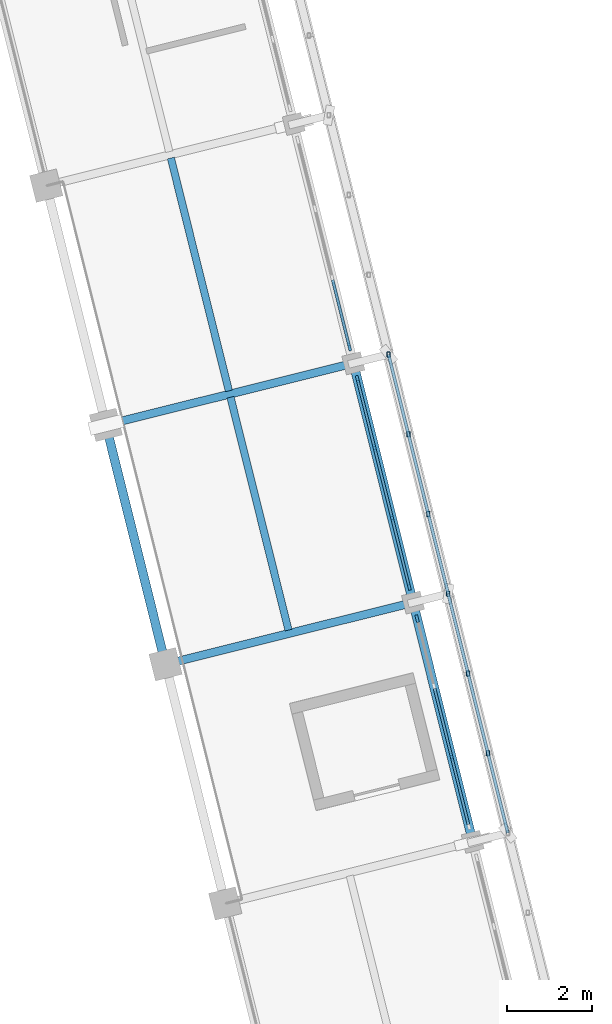
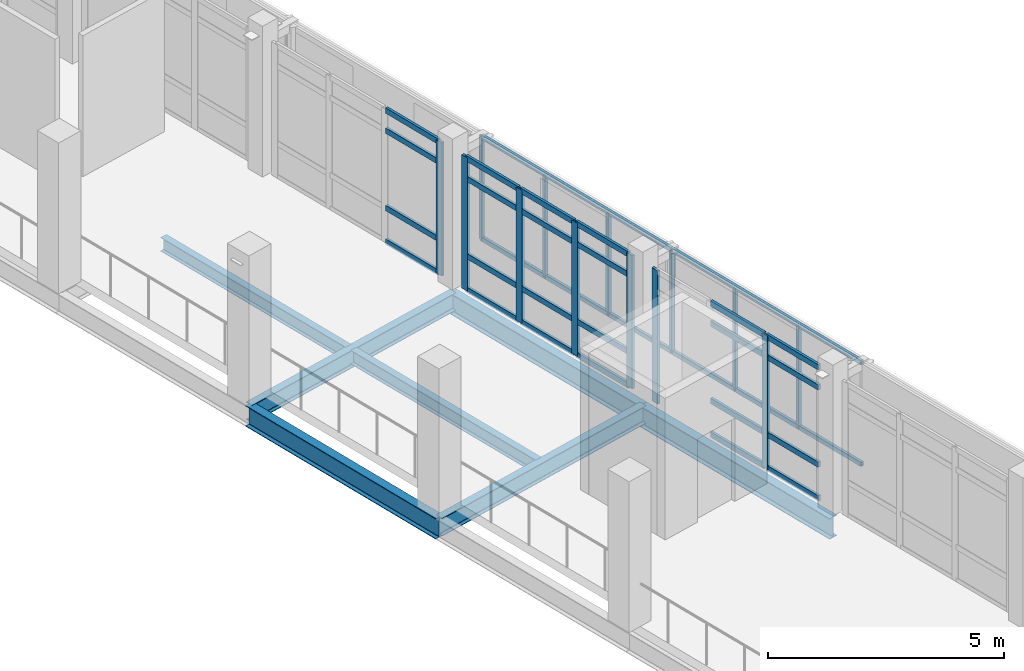
# One storey, part 21 of 117: 41 members, 7 beams, 3 elements without a shape of their own.
"""IFC4 building model written with IfcOpenShell, lengths in metres."""

from ifc_helpers import new_model, si_unit, direction, frame, origin, origin_2d, place, context, subcontext, project, spatial, rectangle, hollow_rectangle, i_section, extrude, material, material_profile, profile_set, type_object, element, aggregate, save


model = new_model("IFC4")

# Units and contexts
model_context = context("Model", 3, precision=1e-05, world=origin(), true_north=direction((0.0, 1.0)))
body_context = subcontext(model_context, "Body", "Model", "MODEL_VIEW")
ifc_project = project(units=[si_unit("LENGTHUNIT", "METRE"), si_unit("AREAUNIT", "SQUARE_METRE"), si_unit("VOLUMEUNIT", "CUBIC_METRE"), si_unit("PLANEANGLEUNIT", "RADIAN"), si_unit("MASSUNIT", "GRAM", prefix="KILO")], contexts=[model_context])

# Site, building, storey
site_placement = place(None, origin())
site = spatial("IfcSite", under=ifc_project, at=site_placement, CompositionType="ELEMENT")
building_placement = place(site_placement, origin())
building = spatial("IfcBuilding", under=site, at=building_placement, Name="Cinderway Yard Community Centre", CompositionType="ELEMENT")
storey_placement = place(building_placement, frame((0.0, 0.0, 9.0)))
storey = spatial("IfcBuildingStorey", under=building, at=storey_placement, Name="L02", CompositionType="ELEMENT", Elevation=9.0)

# Curtain wall, members
ifc_material_1 = material(Name="Aluminium 6063-T6", Category="aluminium")
curtain_wall_type = type_object("IfcCurtainWallType", Name="ENV-CW-TYPE-07", PredefinedType="USERDEFINED", material=ifc_material_1)
curtain_wall_1_placement = place(storey_placement, origin())
curtain_wall_1 = element("IfcCurtainWall", 1, at=curtain_wall_1_placement, inside=storey, type_object=curtain_wall_type, Name="Main Hall Courtyard Curtain Wall ENV-CW-L02-HS-0022", ObjectType="GLAZED CURTAIN WALL", PredefinedType="USERDEFINED")
ifc_material_profile_1 = material_profile(ifc_material_1, rectangle(XDim=0.06494140625, YDim=0.179931640625, at=origin_2d()), Name="Aluminium 6063-T6")
ifc_profile_set_1 = profile_set([ifc_material_profile_1], Name="Aluminium 6063-T6")
member_type_1 = type_object("IfcMemberType", Name="ENV-CW-MULL-180", PredefinedType="MULLION", material=ifc_profile_set_1)
member_1_placement = place(storey_placement, frame((49.496337890625, 46.590087890625, 0.0), z_axis=(0.0, 0.0, 1.0), x_axis=(-0.970292848611, -0.241933436991, 0.0)))
member_1 = element("IfcMember", 2, at=member_1_placement, type_object=member_type_1, Name="CW-07 mullion 2", PredefinedType="MULLION", context=body_context, shape_type="SweptSolid", body=[
    extrude(rectangle(XDim=0.06494140625, YDim=0.179931640625, at=origin_2d()), origin(), (0.0, 0.0, 1.0), 3.449951171875),
])
member_2_placement = place(storey_placement, frame((48.684326171875, 49.846923828125, 0.0), z_axis=(0.0, 0.0, 1.0), x_axis=(-0.970292848611, -0.241933436991, 0.0)))
member_2 = element("IfcMember", 3, at=member_2_placement, type_object=member_type_1, Name="CW-07 mullion 4", PredefinedType="MULLION", context=body_context, shape_type="SweptSolid", body=[
    extrude(rectangle(XDim=0.06494140625, YDim=0.179931640625, at=origin_2d()), origin(), (0.0, 0.0, 1.0), 3.449951171875),
])

curtain_wall_2_placement = place(storey_placement, origin())
curtain_wall_2 = element("IfcCurtainWall", 4, at=curtain_wall_2_placement, inside=storey, type_object=curtain_wall_type, Name="Main Hall Courtyard Curtain Wall ENV-CW-L02-HS-0023", ObjectType="GLAZED CURTAIN WALL", PredefinedType="USERDEFINED")
member_3_placement = place(storey_placement, frame((48.495849609375, 50.60302734375, 0.0), z_axis=(0.0, 0.0, 1.0), x_axis=(-0.97030436752, -0.241887234827, 0.0)))
member_3 = element("IfcMember", 5, at=member_3_placement, type_object=member_type_1, Name="CW-07 mullion 1", PredefinedType="MULLION", context=body_context, shape_type="SweptSolid", body=[
    extrude(rectangle(XDim=0.06494140625, YDim=0.179931640625, at=origin_2d()), origin(), (0.0, 0.0, 1.0), 3.449951171875),
])
member_4_placement = place(storey_placement, frame((48.09326171875, 52.21728515625, 0.0), z_axis=(0.0, 0.0, 1.0), x_axis=(-0.97030436752, -0.241887234827, 0.0)))
member_4 = element("IfcMember", 6, at=member_4_placement, type_object=member_type_1, Name="CW-07 mullion 2", PredefinedType="MULLION", context=body_context, shape_type="SweptSolid", body=[
    extrude(rectangle(XDim=0.06494140625, YDim=0.179931640625, at=origin_2d()), origin(), (0.0, 0.0, 1.0), 3.449951171875),
])
member_5_placement = place(storey_placement, frame((47.68359375, 53.860595703125, 0.0), z_axis=(0.0, 0.0, 1.0), x_axis=(-0.97030436752, -0.241887234827, 0.0)))
member_5 = element("IfcMember", 7, at=member_5_placement, type_object=member_type_1, Name="CW-07 mullion 3", PredefinedType="MULLION", context=body_context, shape_type="SweptSolid", body=[
    extrude(rectangle(XDim=0.06494140625, YDim=0.179931640625, at=origin_2d()), origin(), (0.0, 0.0, 1.0), 3.449951171875),
])
member_6_placement = place(storey_placement, frame((47.28125, 55.474853515625, 0.0), z_axis=(0.0, 0.0, 1.0), x_axis=(-0.97030436752, -0.241887234827, 0.0)))
member_6 = element("IfcMember", 8, at=member_6_placement, type_object=member_type_1, Name="CW-07 mullion 4", PredefinedType="MULLION", context=body_context, shape_type="SweptSolid", body=[
    extrude(rectangle(XDim=0.06494140625, YDim=0.179931640625, at=origin_2d()), origin(), (0.0, 0.0, 1.0), 3.449951171875),
])

# Curtain wall, member
curtain_wall_3_placement = place(storey_placement, origin())
curtain_wall_3 = element("IfcCurtainWall", 9, at=curtain_wall_3_placement, inside=storey, type_object=curtain_wall_type, Name="Main Hall Courtyard Curtain Wall ENV-CW-L02-HS-0024", ObjectType="GLAZED CURTAIN WALL", PredefinedType="USERDEFINED")
member_7_placement = place(storey_placement, frame((47.0927734375, 56.231201171875, 0.0), z_axis=(0.0, 0.0, 1.0), x_axis=(-0.97030436752, -0.241887234827, 0.0)))
member_7 = element("IfcMember", 10, at=member_7_placement, type_object=member_type_1, Name="CW-07 mullion 1", PredefinedType="MULLION", context=body_context, shape_type="SweptSolid", body=[
    extrude(rectangle(XDim=0.06494140625, YDim=0.179931640625, at=origin_2d()), origin(), (0.0, 0.0, 1.0), 3.449951171875),
])

# Member
ifc_material_profile_2 = material_profile(ifc_material_1, rectangle(XDim=0.06494140625, YDim=0.139892578125, at=origin_2d()), Name="Aluminium 6063-T6")
ifc_profile_set_2 = profile_set([ifc_material_profile_2], Name="Aluminium 6063-T6")
member_type_2 = type_object("IfcMemberType", Name="ENV-CW-TRAN-140", PredefinedType="USERDEFINED", material=ifc_profile_set_2)
member_8_placement = place(storey_placement, frame((49.8916015625, 45.005126953125, 0.030029296875), z_axis=(-0.241962318399, 0.970285646846, 0.0), x_axis=(-0.970285646846, -0.241962318399, 0.0)))
member_8 = element("IfcMember", 11, at=member_8_placement, type_object=member_type_2, Name="CW-07 transom 1.1", ObjectType="TRANSOM", PredefinedType="USERDEFINED", context=body_context, shape_type="SweptSolid", body=[
    extrude(rectangle(XDim=0.06494140625, YDim=0.139892578125, at=origin_2d()), origin(), (0.0, 0.0, 1.0), 1.603271484375),
])

member_9_placement = place(storey_placement, frame((49.8916015625, 45.005126953125, 0.89990234375), z_axis=(-0.241962318399, 0.970285646846, 0.0), x_axis=(-0.970285646846, -0.241962318399, 0.0)))
member_9 = element("IfcMember", 12, at=member_9_placement, type_object=member_type_2, Name="CW-07 transom 1.2", ObjectType="TRANSOM", PredefinedType="USERDEFINED", context=body_context, shape_type="SweptSolid", body=[
    extrude(rectangle(XDim=0.06494140625, YDim=0.139892578125, at=origin_2d()), origin(), (0.0, 0.0, 1.0), 1.603271484375),
])

member_10_placement = place(storey_placement, frame((49.8916015625, 45.005126953125, 2.89990234375), z_axis=(-0.241962318399, 0.970285646846, 0.0), x_axis=(-0.970285646846, -0.241962318399, 0.0)))
member_10 = element("IfcMember", 13, at=member_10_placement, type_object=member_type_2, Name="CW-07 transom 1.3", ObjectType="TRANSOM", PredefinedType="USERDEFINED", context=body_context, shape_type="SweptSolid", body=[
    extrude(rectangle(XDim=0.06494140625, YDim=0.139892578125, at=origin_2d()), origin(), (0.0, 0.0, 1.0), 1.603271484375),
])

member_11_placement = place(storey_placement, frame((49.8916015625, 45.005126953125, 3.419921875), z_axis=(-0.241962318399, 0.970285646846, 0.0), x_axis=(-0.970285646846, -0.241962318399, 0.0)))
member_11 = element("IfcMember", 14, at=member_11_placement, type_object=member_type_2, Name="CW-07 transom 1.4", ObjectType="TRANSOM", PredefinedType="USERDEFINED", context=body_context, shape_type="SweptSolid", body=[
    extrude(rectangle(XDim=0.06494140625, YDim=0.139892578125, at=origin_2d()), origin(), (0.0, 0.0, 1.0), 1.603271484375),
])

member_12_placement = place(storey_placement, frame((49.489013671875, 46.619140625, 0.030029296875), z_axis=(-0.24186728009, 0.970309341819, 0.0), x_axis=(-0.970309341819, -0.24186728009, 0.0)))
member_12 = element("IfcMember", 15, at=member_12_placement, type_object=member_type_2, Name="CW-07 transom 2.1", ObjectType="TRANSOM", PredefinedType="USERDEFINED", context=body_context, shape_type="SweptSolid", body=[
    extrude(rectangle(XDim=0.06494140625, YDim=0.139892578125, at=origin_2d()), origin(), (0.0, 0.0, 1.0), 1.63330078125),
])

member_13_placement = place(storey_placement, frame((49.489013671875, 46.619140625, 0.89990234375), z_axis=(-0.24186728009, 0.970309341819, 0.0), x_axis=(-0.970309341819, -0.24186728009, 0.0)))
member_13 = element("IfcMember", 16, at=member_13_placement, type_object=member_type_2, Name="CW-07 transom 2.2", ObjectType="TRANSOM", PredefinedType="USERDEFINED", context=body_context, shape_type="SweptSolid", body=[
    extrude(rectangle(XDim=0.06494140625, YDim=0.139892578125, at=origin_2d()), origin(), (0.0, 0.0, 1.0), 1.63330078125),
])

member_14_placement = place(storey_placement, frame((49.489013671875, 46.619140625, 2.89990234375), z_axis=(-0.24186728009, 0.970309341819, 0.0), x_axis=(-0.970309341819, -0.24186728009, 0.0)))
member_14 = element("IfcMember", 17, at=member_14_placement, type_object=member_type_2, Name="CW-07 transom 2.3", ObjectType="TRANSOM", PredefinedType="USERDEFINED", context=body_context, shape_type="SweptSolid", body=[
    extrude(rectangle(XDim=0.06494140625, YDim=0.139892578125, at=origin_2d()), origin(), (0.0, 0.0, 1.0), 1.63330078125),
])

member_15_placement = place(storey_placement, frame((49.489013671875, 46.619140625, 3.419921875), z_axis=(-0.24186728009, 0.970309341819, 0.0), x_axis=(-0.970309341819, -0.24186728009, 0.0)))
member_15 = element("IfcMember", 18, at=member_15_placement, type_object=member_type_2, Name="CW-07 transom 2.4", ObjectType="TRANSOM", PredefinedType="USERDEFINED", context=body_context, shape_type="SweptSolid", body=[
    extrude(rectangle(XDim=0.06494140625, YDim=0.139892578125, at=origin_2d()), origin(), (0.0, 0.0, 1.0), 1.63330078125),
])

aggregate(curtain_wall_1, [member_1, member_2, member_8, member_9, member_10, member_11, member_12, member_13, member_14, member_15])

member_16_placement = place(storey_placement, frame((48.488525390625, 50.63232421875, 0.030029296875), z_axis=(-0.241926573916, 0.970294559829, 0.0), x_axis=(-0.970294559829, -0.241926573916, 0.0)))
member_16 = element("IfcMember", 19, at=member_16_placement, type_object=member_type_2, Name="CW-07 transom 1.1", ObjectType="TRANSOM", PredefinedType="USERDEFINED", context=body_context, shape_type="SweptSolid", body=[
    extrude(rectangle(XDim=0.06494140625, YDim=0.139892578125, at=origin_2d()), origin(), (0.0, 0.0, 1.0), 1.603515625),
])

member_17_placement = place(storey_placement, frame((48.488525390625, 50.63232421875, 0.89990234375), z_axis=(-0.241926573916, 0.970294559829, 0.0), x_axis=(-0.970294559829, -0.241926573916, 0.0)))
member_17 = element("IfcMember", 20, at=member_17_placement, type_object=member_type_2, Name="CW-07 transom 1.2", ObjectType="TRANSOM", PredefinedType="USERDEFINED", context=body_context, shape_type="SweptSolid", body=[
    extrude(rectangle(XDim=0.06494140625, YDim=0.139892578125, at=origin_2d()), origin(), (0.0, 0.0, 1.0), 1.603515625),
])

member_18_placement = place(storey_placement, frame((48.488525390625, 50.63232421875, 2.89990234375), z_axis=(-0.241926573916, 0.970294559829, 0.0), x_axis=(-0.970294559829, -0.241926573916, 0.0)))
member_18 = element("IfcMember", 21, at=member_18_placement, type_object=member_type_2, Name="CW-07 transom 1.3", ObjectType="TRANSOM", PredefinedType="USERDEFINED", context=body_context, shape_type="SweptSolid", body=[
    extrude(rectangle(XDim=0.06494140625, YDim=0.139892578125, at=origin_2d()), origin(), (0.0, 0.0, 1.0), 1.603515625),
])

member_19_placement = place(storey_placement, frame((48.488525390625, 50.63232421875, 3.419921875), z_axis=(-0.241926573916, 0.970294559829, 0.0), x_axis=(-0.970294559829, -0.241926573916, 0.0)))
member_19 = element("IfcMember", 22, at=member_19_placement, type_object=member_type_2, Name="CW-07 transom 1.4", ObjectType="TRANSOM", PredefinedType="USERDEFINED", context=body_context, shape_type="SweptSolid", body=[
    extrude(rectangle(XDim=0.06494140625, YDim=0.139892578125, at=origin_2d()), origin(), (0.0, 0.0, 1.0), 1.603515625),
])

member_20_placement = place(storey_placement, frame((48.086181640625, 52.246337890625, 0.030029296875), z_axis=(-0.241937832655, 0.970291752583, 0.0), x_axis=(-0.970291752583, -0.241937832655, 0.0)))
member_20 = element("IfcMember", 23, at=member_20_placement, type_object=member_type_2, Name="CW-07 transom 2.1", ObjectType="TRANSOM", PredefinedType="USERDEFINED", context=body_context, shape_type="SweptSolid", body=[
    extrude(rectangle(XDim=0.06494140625, YDim=0.139892578125, at=origin_2d()), origin(), (0.0, 0.0, 1.0), 1.6337890625),
])

member_21_placement = place(storey_placement, frame((48.086181640625, 52.246337890625, 0.89990234375), z_axis=(-0.241937832655, 0.970291752583, 0.0), x_axis=(-0.970291752583, -0.241937832655, 0.0)))
member_21 = element("IfcMember", 24, at=member_21_placement, type_object=member_type_2, Name="CW-07 transom 2.2", ObjectType="TRANSOM", PredefinedType="USERDEFINED", context=body_context, shape_type="SweptSolid", body=[
    extrude(rectangle(XDim=0.06494140625, YDim=0.139892578125, at=origin_2d()), origin(), (0.0, 0.0, 1.0), 1.6337890625),
])

member_22_placement = place(storey_placement, frame((48.086181640625, 52.246337890625, 2.89990234375), z_axis=(-0.241937832655, 0.970291752583, 0.0), x_axis=(-0.970291752583, -0.241937832655, 0.0)))
member_22 = element("IfcMember", 25, at=member_22_placement, type_object=member_type_2, Name="CW-07 transom 2.3", ObjectType="TRANSOM", PredefinedType="USERDEFINED", context=body_context, shape_type="SweptSolid", body=[
    extrude(rectangle(XDim=0.06494140625, YDim=0.139892578125, at=origin_2d()), origin(), (0.0, 0.0, 1.0), 1.6337890625),
])

member_23_placement = place(storey_placement, frame((48.086181640625, 52.246337890625, 3.419921875), z_axis=(-0.241937832655, 0.970291752583, 0.0), x_axis=(-0.970291752583, -0.241937832655, 0.0)))
member_23 = element("IfcMember", 26, at=member_23_placement, type_object=member_type_2, Name="CW-07 transom 2.4", ObjectType="TRANSOM", PredefinedType="USERDEFINED", context=body_context, shape_type="SweptSolid", body=[
    extrude(rectangle(XDim=0.06494140625, YDim=0.139892578125, at=origin_2d()), origin(), (0.0, 0.0, 1.0), 1.6337890625),
])

member_24_placement = place(storey_placement, frame((47.676513671875, 53.889892578125, 0.030029296875), z_axis=(-0.241926573916, 0.970294559829, 0.0), x_axis=(-0.970294559829, -0.241926573916, 0.0)))
member_24 = element("IfcMember", 27, at=member_24_placement, type_object=member_type_2, Name="CW-07 transom 3.1", ObjectType="TRANSOM", PredefinedType="USERDEFINED", context=body_context, shape_type="SweptSolid", body=[
    extrude(rectangle(XDim=0.06494140625, YDim=0.139892578125, at=origin_2d()), origin(), (0.0, 0.0, 1.0), 1.603515625),
])

member_25_placement = place(storey_placement, frame((47.676513671875, 53.889892578125, 0.89990234375), z_axis=(-0.241926573916, 0.970294559829, 0.0), x_axis=(-0.970294559829, -0.241926573916, 0.0)))
member_25 = element("IfcMember", 28, at=member_25_placement, type_object=member_type_2, Name="CW-07 transom 3.2", ObjectType="TRANSOM", PredefinedType="USERDEFINED", context=body_context, shape_type="SweptSolid", body=[
    extrude(rectangle(XDim=0.06494140625, YDim=0.139892578125, at=origin_2d()), origin(), (0.0, 0.0, 1.0), 1.603515625),
])

member_26_placement = place(storey_placement, frame((47.676513671875, 53.889892578125, 2.89990234375), z_axis=(-0.241926573916, 0.970294559829, 0.0), x_axis=(-0.970294559829, -0.241926573916, 0.0)))
member_26 = element("IfcMember", 29, at=member_26_placement, type_object=member_type_2, Name="CW-07 transom 3.3", ObjectType="TRANSOM", PredefinedType="USERDEFINED", context=body_context, shape_type="SweptSolid", body=[
    extrude(rectangle(XDim=0.06494140625, YDim=0.139892578125, at=origin_2d()), origin(), (0.0, 0.0, 1.0), 1.603515625),
])

member_27_placement = place(storey_placement, frame((47.676513671875, 53.889892578125, 3.419921875), z_axis=(-0.241926573916, 0.970294559829, 0.0), x_axis=(-0.970294559829, -0.241926573916, 0.0)))
member_27 = element("IfcMember", 30, at=member_27_placement, type_object=member_type_2, Name="CW-07 transom 3.4", ObjectType="TRANSOM", PredefinedType="USERDEFINED", context=body_context, shape_type="SweptSolid", body=[
    extrude(rectangle(XDim=0.06494140625, YDim=0.139892578125, at=origin_2d()), origin(), (0.0, 0.0, 1.0), 1.603515625),
])

aggregate(curtain_wall_2, [member_3, member_4, member_5, member_6, member_16, member_17, member_18, member_19, member_20, member_21, member_22, member_23, member_24, member_25, member_26, member_27])

member_28_placement = place(storey_placement, frame((47.08544921875, 56.26025390625, 0.030029296875), z_axis=(-0.241926573916, 0.970294559829, 0.0), x_axis=(-0.970294559829, -0.241926573916, 0.0)))
member_28 = element("IfcMember", 31, at=member_28_placement, type_object=member_type_2, Name="CW-07 transom 1.1", ObjectType="TRANSOM", PredefinedType="USERDEFINED", context=body_context, shape_type="SweptSolid", body=[
    extrude(rectangle(XDim=0.06494140625, YDim=0.139892578125, at=origin_2d()), origin(), (0.0, 0.0, 1.0), 1.603515625),
])

member_29_placement = place(storey_placement, frame((47.08544921875, 56.26025390625, 0.89990234375), z_axis=(-0.241926573916, 0.970294559829, 0.0), x_axis=(-0.970294559829, -0.241926573916, 0.0)))
member_29 = element("IfcMember", 32, at=member_29_placement, type_object=member_type_2, Name="CW-07 transom 1.2", ObjectType="TRANSOM", PredefinedType="USERDEFINED", context=body_context, shape_type="SweptSolid", body=[
    extrude(rectangle(XDim=0.06494140625, YDim=0.139892578125, at=origin_2d()), origin(), (0.0, 0.0, 1.0), 1.603515625),
])

member_30_placement = place(storey_placement, frame((47.08544921875, 56.26025390625, 2.89990234375), z_axis=(-0.241926573916, 0.970294559829, 0.0), x_axis=(-0.970294559829, -0.241926573916, 0.0)))
member_30 = element("IfcMember", 33, at=member_30_placement, type_object=member_type_2, Name="CW-07 transom 1.3", ObjectType="TRANSOM", PredefinedType="USERDEFINED", context=body_context, shape_type="SweptSolid", body=[
    extrude(rectangle(XDim=0.06494140625, YDim=0.139892578125, at=origin_2d()), origin(), (0.0, 0.0, 1.0), 1.603515625),
])

member_31_placement = place(storey_placement, frame((47.08544921875, 56.26025390625, 3.419921875), z_axis=(-0.241926573916, 0.970294559829, 0.0), x_axis=(-0.970294559829, -0.241926573916, 0.0)))
member_31 = element("IfcMember", 34, at=member_31_placement, type_object=member_type_2, Name="CW-07 transom 1.4", ObjectType="TRANSOM", PredefinedType="USERDEFINED", context=body_context, shape_type="SweptSolid", body=[
    extrude(rectangle(XDim=0.06494140625, YDim=0.139892578125, at=origin_2d()), origin(), (0.0, 0.0, 1.0), 1.603515625),
])

aggregate(curtain_wall_3, [member_7, member_28, member_29, member_30, member_31])

# Members
ifc_material_2 = material(Name="Steel S355", Category="steel")
ifc_material_profile_3 = material_profile(ifc_material_2, hollow_rectangle(XDim=0.080078125, YDim=0.1201171875, WallThickness=0.00634765625, InnerFilletRadius=0.00634765625, OuterFilletRadius=0.0126953125, at=origin_2d()), Name="Steel S355")
ifc_profile_set_3 = profile_set([ifc_material_profile_3], Name="Steel S355")
member_type_3 = type_object("IfcMemberType", Name="ENV-MEM-SCREEN-RAIL-120", PredefinedType="STRINGER", material=ifc_profile_set_3)
for number, where, z_axis, x_axis, name in (
    (35, (50.818115234375, 44.803955078125, 0.7099609375), (-0.241941244896, 0.97029090175, 0.0), (-0.97029090175, -0.241941244896, 0.0), "Screen support rail 0910-BOT"),
    (36, (50.818115234375, 44.803955078125, 3.340087890625), (-0.241941244896, 0.97029090175, 0.0), (-0.97029090175, -0.241941244896, 0.0), "Screen support rail 0911-TOP"),
):
    element("IfcMember", number, at=place(storey_placement, frame(where, z_axis=z_axis, x_axis=x_axis)), inside=storey, type_object=member_type_3, Name=name, PredefinedType="STRINGER", context=body_context, shape_type="SweptSolid", body=[
        extrude(hollow_rectangle(XDim=0.080078125, YDim=0.1201171875, WallThickness=0.00634765625, InnerFilletRadius=0.00634765625, OuterFilletRadius=0.0126953125, at=origin_2d()), origin(), (0.0, 0.0, 1.0), 5.79931640625),
    ])
for number, where, z_axis, x_axis, name in (
    (37, (50.35009765625, 46.679931640625, 0.68994140625), (0.0, 0.0, 1.0), (1.0, 0.0, 0.0), "Screen vertical mullion 0912"),
    (38, (49.883056640625, 48.554931640625, 0.68994140625), (0.0, 0.0, 1.0), (1.0, 0.0, 0.0), "Screen vertical mullion 0913"),
    (39, (49.4150390625, 50.430908203125, 0.68994140625), (0.0, 0.0, 1.0), (1.0, 0.0, 0.0), "Screen vertical mullion 0914"),
):
    element("IfcMember", number, at=place(storey_placement, frame(where, z_axis=z_axis, x_axis=x_axis)), inside=storey, type_object=member_type_3, Name=name, PredefinedType="STRINGER", context=body_context, shape_type="SweptSolid", body=[
        extrude(hollow_rectangle(XDim=0.080078125, YDim=0.1201171875, WallThickness=0.00634765625, InnerFilletRadius=0.00634765625, OuterFilletRadius=0.0126953125, at=origin_2d()), origin(), (0.0, 0.0, 1.0), 2.670166015625),
    ])
for number, where, z_axis, x_axis, name in (
    (40, (49.4150390625, 50.430908203125, 0.7099609375), (-0.241891840607, 0.970303219333, 0.0), (-0.970303219333, -0.241891840607, 0.0), "Screen support rail 0916-BOT"),
    (41, (49.4150390625, 50.430908203125, 3.340087890625), (-0.241891840607, 0.970303219333, 0.0), (-0.970303219333, -0.241891840607, 0.0), "Screen support rail 0917-TOP"),
):
    element("IfcMember", number, at=place(storey_placement, frame(where, z_axis=z_axis, x_axis=x_axis)), inside=storey, type_object=member_type_3, Name=name, PredefinedType="STRINGER", context=body_context, shape_type="SweptSolid", body=[
        extrude(hollow_rectangle(XDim=0.080078125, YDim=0.1201171875, WallThickness=0.00634765625, InnerFilletRadius=0.00634765625, OuterFilletRadius=0.0126953125, at=origin_2d()), origin(), (0.0, 0.0, 1.0), 5.800537109375),
    ])
for number, where, z_axis, x_axis, name in (
    (42, (48.947021484375, 52.306884765625, 0.68994140625), (0.0, 0.0, 1.0), (1.0, 0.0, 0.0), "Screen vertical mullion 0918"),
    (43, (48.47998046875, 54.18310546875, 0.68994140625), (0.0, 0.0, 1.0), (1.0, 0.0, 0.0), "Screen vertical mullion 0919"),
    (44, (48.011962890625, 56.05908203125, 0.68994140625), (0.0, 0.0, 1.0), (1.0, 0.0, 0.0), "Screen vertical mullion 0920"),
):
    element("IfcMember", number, at=place(storey_placement, frame(where, z_axis=z_axis, x_axis=x_axis)), inside=storey, type_object=member_type_3, Name=name, PredefinedType="STRINGER", context=body_context, shape_type="SweptSolid", body=[
        extrude(hollow_rectangle(XDim=0.080078125, YDim=0.1201171875, WallThickness=0.00634765625, InnerFilletRadius=0.00634765625, OuterFilletRadius=0.0126953125, at=origin_2d()), origin(), (0.0, 0.0, 1.0), 2.670166015625),
    ])

# Beams
ifc_material_profile_4 = material_profile(ifc_material_2, i_section(OverallWidth=0.172119140625, OverallDepth=0.35791015625, WebThickness=0.0078125, FlangeThickness=0.01318359375, FilletRadius=0.010986328125, at=origin_2d()), Name="Steel S355")
ifc_profile_set_4 = profile_set([ifc_material_profile_4], Name="Steel S355")
beam_type_1 = type_object("IfcBeamType", Name="STR-BM-W360X57", PredefinedType="JOIST", material=ifc_profile_set_4)
beam_1_placement = place(storey_placement, frame((45.659912109375, 49.574951171875, -0.4189453125), z_axis=(-0.241823170117, 0.970320335969, 0.0), x_axis=(-0.970320335969, -0.241823170117, 0.0)))
element("IfcBeam", 45, at=beam_1_placement, inside=storey, type_object=beam_type_1, Name="Secondary joist STR-BM-L02-SJ03-0365", PredefinedType="JOIST", context=body_context, shape_type="SweptSolid", body=[
    extrude(i_section(OverallWidth=0.172119140625, OverallDepth=0.35791015625, WebThickness=0.0078125, FlangeThickness=0.01318359375, FilletRadius=0.010986328125, at=origin_2d()), origin(), (0.0, 0.0, 1.0), 5.64453125),
])
beam_2_placement = place(storey_placement, frame((44.257080078125, 55.201904296875, -0.4189453125), z_axis=(-0.241782580887, 0.970330450712, 0.0), x_axis=(-0.970330450712, -0.241782580887, 0.0)))
element("IfcBeam", 46, at=beam_2_placement, inside=storey, type_object=beam_type_1, Name="Secondary joist STR-BM-L02-SJ03-0366", PredefinedType="JOIST", context=body_context, shape_type="SweptSolid", body=[
    extrude(i_section(OverallWidth=0.172119140625, OverallDepth=0.35791015625, WebThickness=0.0078125, FlangeThickness=0.01318359375, FilletRadius=0.010986328125, at=origin_2d()), origin(), (0.0, 0.0, 1.0), 5.6455078125),
])
ifc_material_profile_5 = material_profile(ifc_material_2, i_section(OverallWidth=0.19091796875, OverallDepth=0.4599609375, WebThickness=0.010009765625, FlangeThickness=0.014404296875, FilletRadius=0.012939453125, at=origin_2d()), Name="Steel S355")
ifc_profile_set_5 = profile_set([ifc_material_profile_5], Name="Steel S355")
beam_type_2 = type_object("IfcBeamType", Name="STR-BM-W460X82", PredefinedType="JOIST", material=ifc_profile_set_5)
beam_3_placement = place(storey_placement, frame((42.76806640625, 48.77392578125, -0.469970703125), z_axis=(0.970312198702, 0.241855818723, 0.0), x_axis=(-0.241855818723, 0.970312198702, 0.0)))
element("IfcBeam", 47, at=beam_3_placement, inside=storey, type_object=beam_type_2, Name="Primary girder STR-BM-L02-SJ01-0345", PredefinedType="JOIST", context=body_context, shape_type="SweptSolid", body=[
    extrude(i_section(OverallWidth=0.19091796875, OverallDepth=0.4599609375, WebThickness=0.010009765625, FlangeThickness=0.014404296875, FilletRadius=0.012939453125, at=origin_2d()), origin(), (0.0, 0.0, 1.0), 6.000244140625),
])
beam_4_placement = place(storey_placement, frame((41.364990234375, 54.402099609375, -0.469970703125), z_axis=(0.970321746773, 0.241817509166, 0.0), x_axis=(-0.241817509166, 0.970321746773, 0.0)))
element("IfcBeam", 48, at=beam_4_placement, inside=storey, type_object=beam_type_2, Name="Primary girder STR-BM-L02-SJ01-0346", PredefinedType="JOIST", context=body_context, shape_type="SweptSolid", body=[
    extrude(i_section(OverallWidth=0.19091796875, OverallDepth=0.4599609375, WebThickness=0.010009765625, FlangeThickness=0.014404296875, FilletRadius=0.012939453125, at=origin_2d()), origin(), (0.0, 0.0, 1.0), 6.0),
])
ifc_material_profile_6 = material_profile(ifc_material_2, i_section(OverallWidth=0.2109375, OverallDepth=0.5390625, WebThickness=0.010986328125, FlangeThickness=0.017333984375, FilletRadius=0.013916015625, at=origin_2d()), Name="Steel S355")
ifc_profile_set_6 = profile_set([ifc_material_profile_6], Name="Steel S355")
beam_type_3 = type_object("IfcBeamType", Name="STR-BM-W530X109", PredefinedType="BEAM", material=ifc_profile_set_6)
beam_5_placement = place(storey_placement, frame((42.76806640625, 48.77392578125, -0.510009765625), z_axis=(-0.241891840607, 0.970303219333, 0.0), x_axis=(-0.970303219333, -0.241891840607, 0.0)))
element("IfcBeam", 49, at=beam_5_placement, inside=storey, type_object=beam_type_3, Name="Transverse girder STR-BM-L02-SB06-0353", PredefinedType="BEAM", context=body_context, shape_type="SweptSolid", body=[
    extrude(i_section(OverallWidth=0.2109375, OverallDepth=0.5390625, WebThickness=0.010986328125, FlangeThickness=0.017333984375, FilletRadius=0.013916015625, at=origin_2d()), origin(), (0.0, 0.0, 1.0), 5.800537109375),
])
beam_6_placement = place(storey_placement, frame((49.992919921875, 44.597900390625, -0.510009765625), z_axis=(-0.241891728854, 0.970303247192, 0.0), x_axis=(-0.970303247192, -0.241891728854, 0.0)))
element("IfcBeam", 50, at=beam_6_placement, inside=storey, type_object=beam_type_3, Name="Transverse girder STR-BM-L02-SB06-0359", PredefinedType="BEAM", context=body_context, shape_type="SweptSolid", body=[
    extrude(i_section(OverallWidth=0.2109375, OverallDepth=0.5390625, WebThickness=0.010986328125, FlangeThickness=0.017333984375, FilletRadius=0.013916015625, at=origin_2d()), origin(), (0.0, 0.0, 1.0), 5.79931640625),
])
beam_7_placement = place(storey_placement, frame((48.590087890625, 50.22509765625, -0.510009765625), z_axis=(-0.2419017199, 0.97030075642, 0.0), x_axis=(-0.97030075642, -0.2419017199, 0.0)))
element("IfcBeam", 51, at=beam_7_placement, inside=storey, type_object=beam_type_3, Name="Transverse girder STR-BM-L02-SB06-0360", PredefinedType="BEAM", context=body_context, shape_type="SweptSolid", body=[
    extrude(i_section(OverallWidth=0.2109375, OverallDepth=0.5390625, WebThickness=0.010986328125, FlangeThickness=0.017333984375, FilletRadius=0.013916015625, at=origin_2d()), origin(), (0.0, 0.0, 1.0), 5.80029296875),
])

save(model, "model.ifc")
